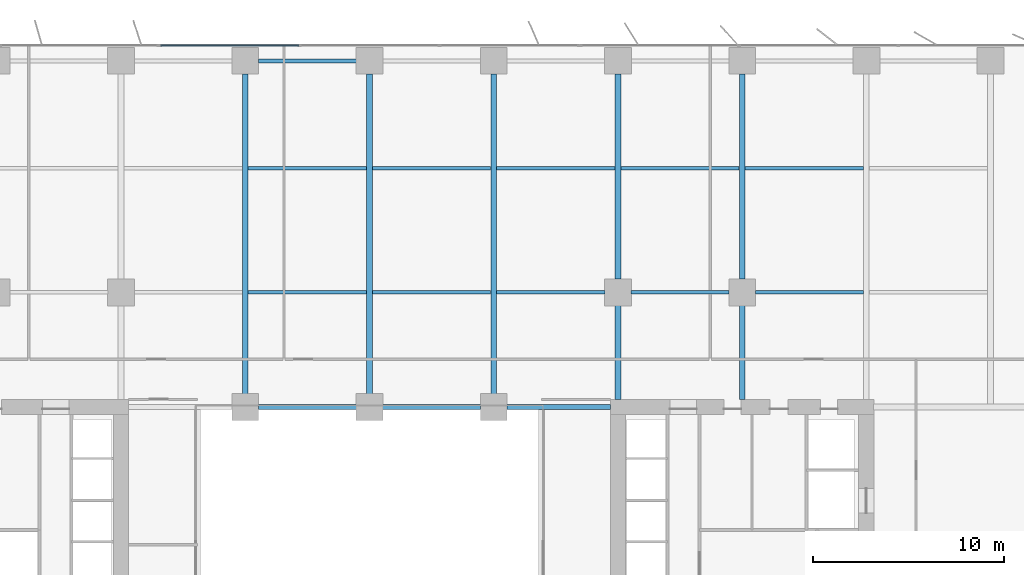
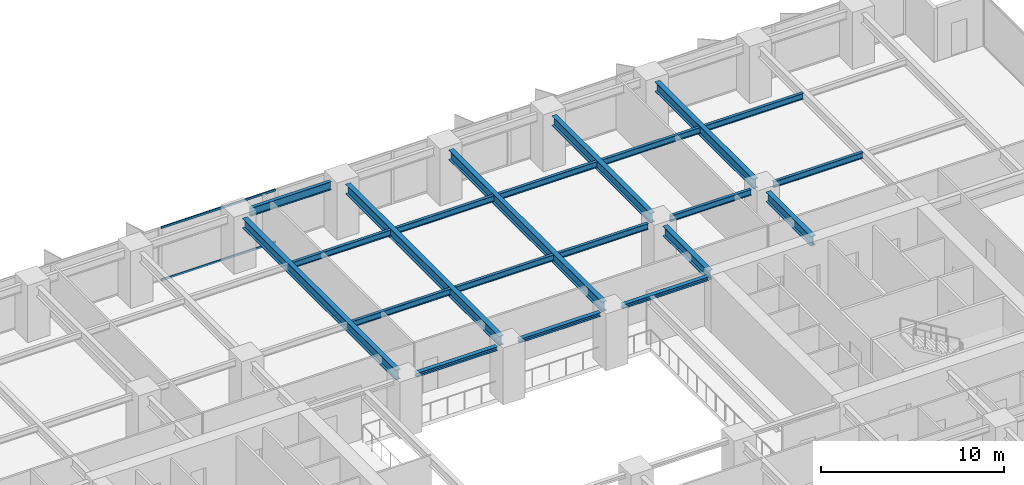
# One storey, part 8 of 20: 21 beams, 2 members, 1 element without a shape of its own.
"""IFC4 building model written with IfcOpenShell, lengths in metres."""

from ifc_helpers import new_model, si_unit, direction, frame, origin, origin_2d, place, context, subcontext, project, spatial, rectangle, i_section, extrude, material, layer, layer_set, material_profile, profile_set, type_object, element, aggregate, save


model = new_model("IFC4")

# Units and contexts
model_context = context("Model", 3, precision=1e-05, world=origin(), true_north=direction((0.0, 1.0)))
body_context = subcontext(model_context, "Body", "Model", "MODEL_VIEW")
ifc_project = project(units=[si_unit("LENGTHUNIT", "METRE"), si_unit("AREAUNIT", "SQUARE_METRE"), si_unit("VOLUMEUNIT", "CUBIC_METRE"), si_unit("PLANEANGLEUNIT", "RADIAN"), si_unit("MASSUNIT", "GRAM", prefix="KILO")], contexts=[model_context])

# Site, building, storey
site_placement = place(None, origin())
site = spatial("IfcSite", under=ifc_project, at=site_placement, CompositionType="ELEMENT")
building_placement = place(site_placement, origin())
building = spatial("IfcBuilding", under=site, at=building_placement, Name="Putna Gate Headquarters", CompositionType="ELEMENT")
storey_placement = place(building_placement, frame((0.0, 0.0, 65.800048828125)))
storey = spatial("IfcBuildingStorey", under=building, at=storey_placement, Name="L15", CompositionType="ELEMENT", Elevation=65.800048828125)

# Beams
ifc_material_1 = material(Name="Steel S355J2", Category="steel")
ifc_material_profile_1 = material_profile(ifc_material_1, i_section(OverallWidth=0.260009765625, OverallDepth=0.260009765625, WebThickness=0.010009765625, FlangeThickness=0.017578125, at=origin_2d()), Name="Steel S355J2")
ifc_profile_set_1 = profile_set([ifc_material_profile_1], Name="Steel S355J2")
beam_type_1 = type_object("IfcBeamType", Name="BM-ATRIUM-HEB260", PredefinedType="BEAM", material=ifc_profile_set_1)
for number, where, z_axis, x_axis, name in (
    (1, (33.18798828125, 33.0, 3.419921875), (1.0, 0.0, 0.0), (0.0, 1.0, 0.0), "L15 Atrium Edge Beam AN2"),
    (2, (39.68798828125, 33.0, 3.419921875), (1.0, 0.0, 0.0), (0.0, 1.0, 0.0), "L15 Atrium Edge Beam AN3"),
):
    element("IfcBeam", number, at=place(storey_placement, frame(where, z_axis=z_axis, x_axis=x_axis)), inside=storey, type_object=beam_type_1, Name=name, PredefinedType="BEAM", context=body_context, shape_type="SweptSolid", body=[
        extrude(i_section(OverallWidth=0.260009765625, OverallDepth=0.260009765625, WebThickness=0.010009765625, FlangeThickness=0.017578125, at=origin_2d()), origin(), (0.0, 0.0, 1.0), 5.1240234375),
    ])
beam_1_placement = place(storey_placement, frame((46.18798828125, 33.0, 3.419921875), z_axis=(1.0, 0.0, 0.0), x_axis=(0.0, 1.0, 0.0)))
element("IfcBeam", 3, at=beam_1_placement, inside=storey, type_object=beam_type_1, Name="L15 Atrium Edge Beam AN4", PredefinedType="BEAM", context=body_context, shape_type="SweptSolid", body=[
    extrude(i_section(OverallWidth=0.260009765625, OverallDepth=0.260009765625, WebThickness=0.010009765625, FlangeThickness=0.017578125, at=origin_2d()), origin(), (0.0, 0.0, 1.0), 5.427001953125),
])
ifc_material_profile_2 = material_profile(ifc_material_1, i_section(OverallWidth=0.300048828125, OverallDepth=0.64990234375, WebThickness=0.01611328125, FlangeThickness=0.031005859375, at=origin_2d()), Name="Steel S355J2")
ifc_profile_set_2 = profile_set([ifc_material_profile_2], Name="Steel S355J2")
beam_type_2 = type_object("IfcBeamType", Name="BM-GIRD-Z1-HEB650", PredefinedType="USERDEFINED", material=ifc_profile_set_2)
for number, where, z_axis, x_axis, name in (
    (4, (32.5, 33.68798828125, 3.224853515625), (0.0, 1.0, 0.0), (-1.0, 0.0, 0.0), "L15 North Primary Girder X32"),
    (5, (39.0, 33.68798828125, 3.224853515625), (0.0, 1.0, 0.0), (-1.0, 0.0, 0.0), "L15 North Primary Girder X39"),
    (6, (45.5, 33.68798828125, 3.224853515625), (0.0, 1.0, 0.0), (-1.0, 0.0, 0.0), "L15 North Primary Girder X45"),
):
    element("IfcBeam", number, at=place(storey_placement, frame(where, z_axis=z_axis, x_axis=x_axis)), inside=storey, type_object=beam_type_2, Name=name, ObjectType="GIRDER", PredefinedType="USERDEFINED", context=body_context, shape_type="SweptSolid", body=[
        extrude(i_section(OverallWidth=0.300048828125, OverallDepth=0.64990234375, WebThickness=0.01611328125, FlangeThickness=0.031005859375, at=origin_2d()), origin(), (0.0, 0.0, 1.0), 16.743896484375),
    ])
beam_2_placement = place(storey_placement, frame((52.0, 33.385009765625, 3.224853515625), z_axis=(0.0, 1.0, 0.0), x_axis=(-1.0, 0.0, 0.0)))
element("IfcBeam", 7, at=beam_2_placement, inside=storey, type_object=beam_type_2, Name="L15 North Primary Girder X52-1", ObjectType="GIRDER", PredefinedType="USERDEFINED", context=body_context, shape_type="SweptSolid", body=[
    extrude(i_section(OverallWidth=0.300048828125, OverallDepth=0.64990234375, WebThickness=0.01611328125, FlangeThickness=0.031005859375, at=origin_2d()), origin(), (0.0, 0.0, 1.0), 4.927001953125),
])
beam_3_placement = place(storey_placement, frame((52.0, 39.68798828125, 3.224853515625), z_axis=(0.0, 1.0, 0.0), x_axis=(-1.0, 0.0, 0.0)))
element("IfcBeam", 8, at=beam_3_placement, inside=storey, type_object=beam_type_2, Name="L15 North Primary Girder X52-2", ObjectType="GIRDER", PredefinedType="USERDEFINED", context=body_context, shape_type="SweptSolid", body=[
    extrude(i_section(OverallWidth=0.300048828125, OverallDepth=0.64990234375, WebThickness=0.01611328125, FlangeThickness=0.031005859375, at=origin_2d()), origin(), (0.0, 0.0, 1.0), 10.743896484375),
])
beam_4_placement = place(storey_placement, frame((58.5, 33.385009765625, 3.224853515625), z_axis=(0.0, 1.0, 0.0), x_axis=(-1.0, 0.0, 0.0)))
element("IfcBeam", 9, at=beam_4_placement, inside=storey, type_object=beam_type_2, Name="L15 North Primary Girder X58-1", ObjectType="GIRDER", PredefinedType="USERDEFINED", context=body_context, shape_type="SweptSolid", body=[
    extrude(i_section(OverallWidth=0.300048828125, OverallDepth=0.64990234375, WebThickness=0.01611328125, FlangeThickness=0.031005859375, at=origin_2d()), origin(), (0.0, 0.0, 1.0), 4.927001953125),
])
beam_5_placement = place(storey_placement, frame((58.5, 39.68798828125, 3.224853515625), z_axis=(0.0, 1.0, 0.0), x_axis=(-1.0, 0.0, 0.0)))
element("IfcBeam", 10, at=beam_5_placement, inside=storey, type_object=beam_type_2, Name="L15 North Primary Girder X58-2", ObjectType="GIRDER", PredefinedType="USERDEFINED", context=body_context, shape_type="SweptSolid", body=[
    extrude(i_section(OverallWidth=0.300048828125, OverallDepth=0.64990234375, WebThickness=0.01611328125, FlangeThickness=0.031005859375, at=origin_2d()), origin(), (0.0, 0.0, 1.0), 10.743896484375),
])
ifc_material_profile_3 = material_profile(ifc_material_1, i_section(OverallWidth=0.179931640625, OverallDepth=0.39990234375, WebThickness=0.008544921875, FlangeThickness=0.013427734375, at=origin_2d()), Name="Steel S355J2")
ifc_profile_set_3 = profile_set([ifc_material_profile_3], Name="Steel S355J2")
beam_type_3 = type_object("IfcBeamType", Name="BM-SEC-Z1-IPE400", PredefinedType="BEAM", material=ifc_profile_set_3)
for number, where, z_axis, x_axis, name in (
    (11, (32.654052734375, 39.0, 3.349853515625), (1.0, 0.0, 0.0), (0.0, 1.0, 0.0), "L15 North Secondary Beam 5"),
    (12, (32.654052734375, 45.5, 3.349853515625), (1.0, 0.0, 0.0), (0.0, 1.0, 0.0), "L15 North Secondary Beam 5"),
    (13, (39.154052734375, 39.0, 3.349853515625), (1.0, 0.0, 0.0), (0.0, 1.0, 0.0), "L15 North Secondary Beam 6"),
    (14, (39.154052734375, 45.5, 3.349853515625), (1.0, 0.0, 0.0), (0.0, 1.0, 0.0), "L15 North Secondary Beam 6"),
):
    element("IfcBeam", number, at=place(storey_placement, frame(where, z_axis=z_axis, x_axis=x_axis)), inside=storey, type_object=beam_type_3, Name=name, PredefinedType="BEAM", context=body_context, shape_type="SweptSolid", body=[
        extrude(i_section(OverallWidth=0.179931640625, OverallDepth=0.39990234375, WebThickness=0.008544921875, FlangeThickness=0.013427734375, at=origin_2d()), origin(), (0.0, 0.0, 1.0), 6.19189453125),
    ])
beam_6_placement = place(storey_placement, frame((45.654052734375, 39.0, 3.349853515625), z_axis=(1.0, 0.0, 0.0), x_axis=(0.0, 1.0, 0.0)))
element("IfcBeam", 15, at=beam_6_placement, inside=storey, type_object=beam_type_3, Name="L15 North Secondary Beam 7", PredefinedType="BEAM", context=body_context, shape_type="SweptSolid", body=[
    extrude(i_section(OverallWidth=0.179931640625, OverallDepth=0.39990234375, WebThickness=0.008544921875, FlangeThickness=0.013427734375, at=origin_2d()), origin(), (0.0, 0.0, 1.0), 5.657958984375),
])
beam_7_placement = place(storey_placement, frame((45.654052734375, 45.5, 3.349853515625), z_axis=(1.0, 0.0, 0.0), x_axis=(0.0, 1.0, 0.0)))
element("IfcBeam", 16, at=beam_7_placement, inside=storey, type_object=beam_type_3, Name="L15 North Secondary Beam 7", PredefinedType="BEAM", context=body_context, shape_type="SweptSolid", body=[
    extrude(i_section(OverallWidth=0.179931640625, OverallDepth=0.39990234375, WebThickness=0.008544921875, FlangeThickness=0.013427734375, at=origin_2d()), origin(), (0.0, 0.0, 1.0), 6.19189453125),
])
beam_8_placement = place(storey_placement, frame((52.68798828125, 39.0, 3.349853515625), z_axis=(1.0, 0.0, 0.0), x_axis=(0.0, 1.0, 0.0)))
element("IfcBeam", 17, at=beam_8_placement, inside=storey, type_object=beam_type_3, Name="L15 North Secondary Beam 8", PredefinedType="BEAM", context=body_context, shape_type="SweptSolid", body=[
    extrude(i_section(OverallWidth=0.179931640625, OverallDepth=0.39990234375, WebThickness=0.008544921875, FlangeThickness=0.013427734375, at=origin_2d()), origin(), (0.0, 0.0, 1.0), 5.1240234375),
])
beam_9_placement = place(storey_placement, frame((52.154052734375, 45.5, 3.349853515625), z_axis=(1.0, 0.0, 0.0), x_axis=(0.0, 1.0, 0.0)))
element("IfcBeam", 18, at=beam_9_placement, inside=storey, type_object=beam_type_3, Name="L15 North Secondary Beam 8", PredefinedType="BEAM", context=body_context, shape_type="SweptSolid", body=[
    extrude(i_section(OverallWidth=0.179931640625, OverallDepth=0.39990234375, WebThickness=0.008544921875, FlangeThickness=0.013427734375, at=origin_2d()), origin(), (0.0, 0.0, 1.0), 6.19189453125),
])
beam_10_placement = place(storey_placement, frame((59.18798828125, 39.0, 3.349853515625), z_axis=(1.0, 0.0, 0.0), x_axis=(0.0, 1.0, 0.0)))
element("IfcBeam", 19, at=beam_10_placement, inside=storey, type_object=beam_type_3, Name="L15 North Secondary Beam 9", PredefinedType="BEAM", context=body_context, shape_type="SweptSolid", body=[
    extrude(i_section(OverallWidth=0.179931640625, OverallDepth=0.39990234375, WebThickness=0.008544921875, FlangeThickness=0.013427734375, at=origin_2d()), origin(), (0.0, 0.0, 1.0), 5.657958984375),
])
beam_11_placement = place(storey_placement, frame((58.654052734375, 45.5, 3.349853515625), z_axis=(1.0, 0.0, 0.0), x_axis=(0.0, 1.0, 0.0)))
element("IfcBeam", 20, at=beam_11_placement, inside=storey, type_object=beam_type_3, Name="L15 North Secondary Beam 9", PredefinedType="BEAM", context=body_context, shape_type="SweptSolid", body=[
    extrude(i_section(OverallWidth=0.179931640625, OverallDepth=0.39990234375, WebThickness=0.008544921875, FlangeThickness=0.013427734375, at=origin_2d()), origin(), (0.0, 0.0, 1.0), 6.19189453125),
])
ifc_material_profile_4 = material_profile(ifc_material_1, i_section(OverallWidth=0.2099609375, OverallDepth=0.550048828125, WebThickness=0.010986328125, FlangeThickness=0.01708984375, at=origin_2d()), Name="Steel S355J2")
ifc_profile_set_4 = profile_set([ifc_material_profile_4], Name="Steel S355J2")
beam_type_4 = type_object("IfcBeamType", Name="BM-SPAN-Z1-IPE550", PredefinedType="SPANDREL", material=ifc_profile_set_4)
beam_12_placement = place(storey_placement, frame((33.18798828125, 51.1201171875, 3.27490234375), z_axis=(1.0, 0.0, 0.0), x_axis=(0.0, 1.0, 0.0)))
element("IfcBeam", 21, at=beam_12_placement, inside=storey, type_object=beam_type_4, Name="L15 N Perimeter Spandrel 5", PredefinedType="SPANDREL", context=body_context, shape_type="SweptSolid", body=[
    extrude(i_section(OverallWidth=0.2099609375, OverallDepth=0.550048828125, WebThickness=0.010986328125, FlangeThickness=0.01708984375, at=origin_2d()), origin(), (0.0, 0.0, 1.0), 5.1240234375),
])

# Curtain wall, members
ifc_material_2 = material(Name="Anodised bronze aluminium curtain wall", Category="aluminium")
ifc_layer = layer(ifc_material_2, 0.179931640625)
ifc_layer_set = layer_set([ifc_layer], Name="Anodised bronze aluminium curtain wall")
curtain_wall_type = type_object("IfcCurtainWallType", Name="CW-SYS-ATR", PredefinedType="USERDEFINED", material=ifc_layer_set)
curtain_wall_placement = place(storey_placement, origin())
curtain_wall = element("IfcCurtainWall", 22, at=curtain_wall_placement, inside=storey, type_object=curtain_wall_type, Name="L15 North Atrium Clear Glazing", ObjectType="ATRIUM GLAZING", PredefinedType="USERDEFINED")
ifc_material_3 = material(Name="Anodised bronze aluminium EN AW-6060", Category="aluminium")
ifc_material_profile_5 = material_profile(ifc_material_3, rectangle(XDim=0.070068359375, YDim=0.139892578125, at=origin_2d()), Name="Anodised bronze aluminium EN AW-6060")
ifc_profile_set_5 = profile_set([ifc_material_profile_5], Name="Anodised bronze aluminium EN AW-6060")
member_type = type_object("IfcMemberType", Name="TRAN-CWT-AT", PredefinedType="USERDEFINED", material=ifc_profile_set_5)
member_1_placement = place(storey_placement, frame((28.070068359375, 51.919921875, 0.034912109375), z_axis=(1.0, 0.0, 0.0), x_axis=(0.0, 1.0, 0.0)))
member_1 = element("IfcMember", 23, at=member_1_placement, type_object=member_type, Name="CWS-AT transom 1.1", ObjectType="TRANSOM", PredefinedType="USERDEFINED", context=body_context, shape_type="SweptSolid", body=[
    extrude(rectangle(XDim=0.070068359375, YDim=0.139892578125, at=origin_2d()), origin(), (0.0, 0.0, 1.0), 7.228271484375),
])
member_2_placement = place(storey_placement, frame((28.070068359375, 51.919921875, 3.514892578125), z_axis=(1.0, 0.0, 0.0), x_axis=(0.0, 1.0, 0.0)))
member_2 = element("IfcMember", 24, at=member_2_placement, type_object=member_type, Name="CWS-AT transom 1.2", ObjectType="TRANSOM", PredefinedType="USERDEFINED", context=body_context, shape_type="SweptSolid", body=[
    extrude(rectangle(XDim=0.070068359375, YDim=0.139892578125, at=origin_2d()), origin(), (0.0, 0.0, 1.0), 7.228271484375),
])
aggregate(curtain_wall, [member_1, member_2])

save(model, "model.ifc")
